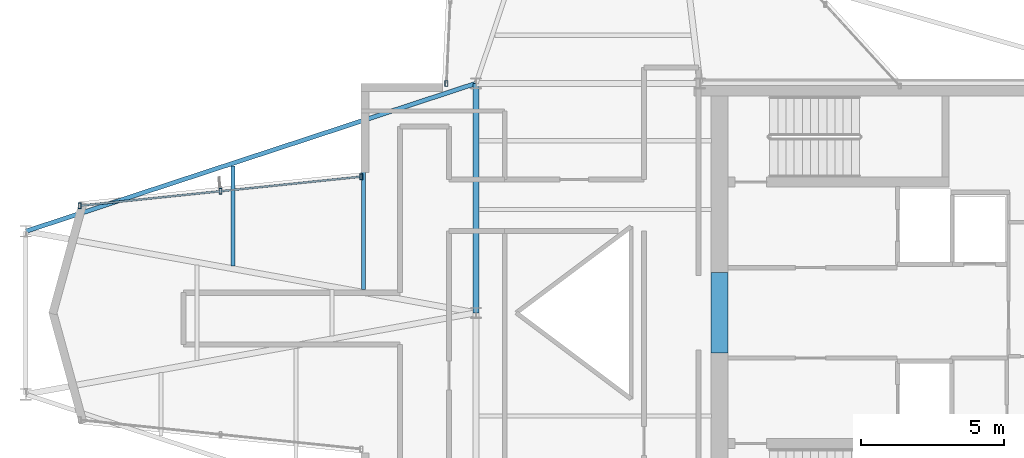
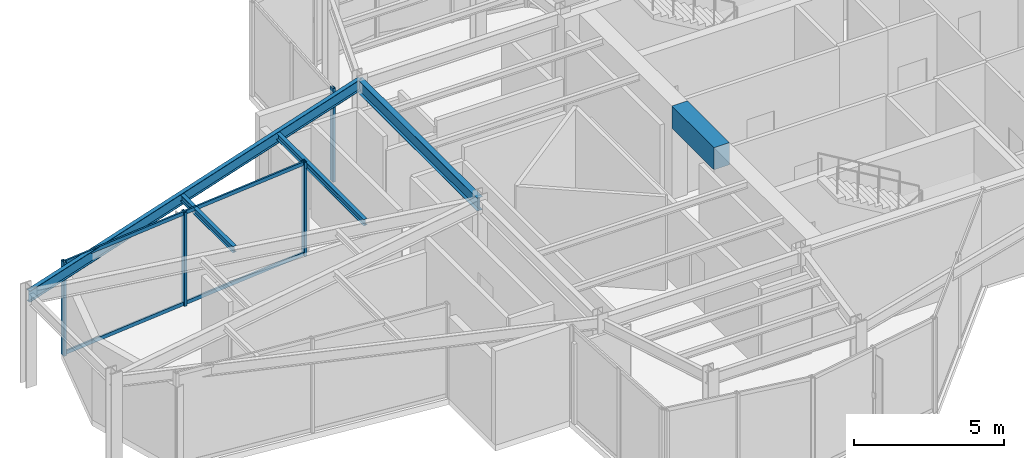
# One storey, part 4 of 14: 6 members, 5 beams, 2 elements without a shape of their own.
"""IFC4 building model written with IfcOpenShell, lengths in metres."""

import ifcopenshell
import ifcopenshell.guid

model = None  # the IFC model being written
_history = None  # IfcOwnerHistory: only IFC2X3 demands one
_inside = {}  # id of a spatial element -> (the spatial element, [elements in it])
_under = {}  # id of a project, library or spatial element -> (it, [spatial elements below it])
_declared = {}  # id of a project -> (the project, [libraries it declares])
_typed = {}  # id of a type object -> (the type object, [elements of that type])
_made_of = {}  # id of a material, layer set ... -> (it, [elements and type objects made of it])


def new_model(schema):
    """Start an empty IFC model of exactly this schema.

    Asked for "IFC4X3", IfcOpenShell would pick the latest addendum, in which some entities
    have other attributes; the version numbers below select the first issue.
    IFC2X3 requires an IfcOwnerHistory on every rooted entity: one is made here for all.
    """
    global model, _history
    if schema == "IFC4X3":
        model = ifcopenshell.file(schema_version=(4, 3, 0, 0))
    else:
        model = ifcopenshell.file(schema=schema)
    _inside.clear()
    _under.clear()
    _declared.clear()
    _typed.clear()
    _made_of.clear()
    _history = None
    if model.schema == "IFC2X3":
        org = make("IfcOrganization", Name="unknown")
        user = make(
            "IfcPersonAndOrganization",
            ThePerson=make("IfcPerson", FamilyName="unknown"),
            TheOrganization=org,
        )
        app = make(
            "IfcApplication",
            ApplicationDeveloper=org,
            Version="unknown",
            ApplicationFullName="unknown",
            ApplicationIdentifier="unknown",
        )
        _history = make(
            "IfcOwnerHistory",
            OwningUser=user,
            OwningApplication=app,
            ChangeAction="ADDED",
            CreationDate=0,
        )
    return model


def make(cls, **values):
    """One entity of the class cls with the attributes given. An attribute that is None is left unset."""
    return model.create_entity(
        cls, **{name: value for name, value in values.items() if value is not None}
    )


def rooted(cls, **values):
    """An entity with a GlobalId (a new one), such as an element, a storey or a relation."""
    return make(cls, GlobalId=ifcopenshell.guid.new(), OwnerHistory=_history, **values)


def si_unit(unit_type, name, prefix=None):
    """IfcSIUnit, for example si_unit("LENGTHUNIT", "METRE", prefix="MILLI")."""
    return make("IfcSIUnit", UnitType=unit_type, Prefix=prefix, Name=name)


def assignment(units):
    """IfcUnitAssignment: the units of a project."""
    return None if units is None else make("IfcUnitAssignment", Units=units)


def point(xyz):
    """IfcCartesianPoint."""
    return None if xyz is None else make("IfcCartesianPoint", Coordinates=xyz)


def direction(xyz):
    """IfcDirection."""
    return None if xyz is None else make("IfcDirection", DirectionRatios=xyz)


def frame(location, z_axis=None, x_axis=None):
    """IfcAxis2Placement3D, a coordinate frame: its origin and axes. An axis left out is left unset."""
    return make(
        "IfcAxis2Placement3D",
        Location=point(location),
        Axis=direction(z_axis),
        RefDirection=direction(x_axis),
    )


def frame_2d(location, x_axis=None):
    """IfcAxis2Placement2D, a coordinate frame in the plane: its origin and x axis."""
    return make(
        "IfcAxis2Placement2D", Location=point(location), RefDirection=direction(x_axis)
    )


def origin():
    """The frame at (0, 0, 0) with its axes left unset."""
    return frame((0.0, 0.0, 0.0))


def origin_2d():
    """The frame at (0, 0) in the plane with its x axis left unset."""
    return frame_2d((0.0, 0.0))


def place(relative_to, where):
    """IfcLocalPlacement: puts the frame where relative to a parent placement (None: the world)."""
    return make(
        "IfcLocalPlacement", PlacementRelTo=relative_to, RelativePlacement=where
    )


def context(
    kind, dimensions, precision=None, world=None, true_north=None, identifier=None
):
    """IfcGeometricRepresentationContext, for example the 3D "Model" context."""
    return make(
        "IfcGeometricRepresentationContext",
        ContextIdentifier=identifier,
        ContextType=kind,
        CoordinateSpaceDimension=dimensions,
        Precision=precision,
        WorldCoordinateSystem=world,
        TrueNorth=true_north,
    )


def subcontext(parent, identifier, kind, view, scale=None):
    """IfcGeometricRepresentationSubContext, for example "Body" below "Model"."""
    return make(
        "IfcGeometricRepresentationSubContext",
        ContextIdentifier=identifier,
        ContextType=kind,
        ParentContext=parent,
        TargetScale=scale,
        TargetView=view,
    )


def project(units=None, contexts=None):
    """IfcProject with its units and contexts."""
    return rooted(
        "IfcProject",
        Name="project",
        RepresentationContexts=contexts,
        UnitsInContext=assignment(units),
    )


def spatial(cls, under=None, at=None, **own):
    """A site, building, storey or space (cls), placed at a placement, below another one or the project."""
    s = rooted(cls, ObjectPlacement=at, **own)
    if under is not None:
        _under.setdefault(under.id(), (under, []))[1].append(s)
    return s


def profile(cls, at=None, kind="AREA", **sizes):
    """A parametric profile (cls). Its sizes go by their IFC names, for example OverallWidth=200.0."""
    return make(cls, ProfileType=kind, Position=at, **sizes)


def rectangle(**sizes):
    """IfcRectangleProfileDef."""
    return profile("IfcRectangleProfileDef", **sizes)


def hollow_rectangle(**sizes):
    """IfcRectangleHollowProfileDef."""
    return profile("IfcRectangleHollowProfileDef", **sizes)


def i_section(**sizes):
    """IfcIShapeProfileDef."""
    return profile("IfcIShapeProfileDef", **sizes)


def extrude(swept, where, along, depth):
    """IfcExtrudedAreaSolid: the profile swept, set in the frame where, extruded along a direction by depth."""
    return make(
        "IfcExtrudedAreaSolid",
        SweptArea=swept,
        Position=where,
        ExtrudedDirection=direction(along),
        Depth=depth,
    )


def shape(context_of_items, identifier, shape_type, items):
    """IfcShapeRepresentation: the items that make up one representation, for example the "Body"."""
    return make(
        "IfcShapeRepresentation",
        ContextOfItems=context_of_items,
        RepresentationIdentifier=identifier,
        RepresentationType=shape_type,
        Items=items,
    )


def material(Name=None, Category=None):
    """IfcMaterial."""
    return make("IfcMaterial", Name=Name, Category=Category)


def layer(
    of_material, thickness, ventilated=None, Name=None, Category=None, Priority=None
):
    """IfcMaterialLayer: one layer of a wall or slab, of a material (None: an air gap)."""
    return make(
        "IfcMaterialLayer",
        Material=of_material,
        LayerThickness=thickness,
        IsVentilated=ventilated,
        Name=Name,
        Category=Category,
        Priority=Priority,
    )


def layer_set(layers, Name=None):
    """IfcMaterialLayerSet."""
    return make("IfcMaterialLayerSet", MaterialLayers=layers, LayerSetName=Name)


def material_profile(
    of_material, cross_section, Name=None, Category=None, Priority=None
):
    """IfcMaterialProfile: a cross section and its material."""
    return make(
        "IfcMaterialProfile",
        Name=Name,
        Material=of_material,
        Profile=cross_section,
        Priority=Priority,
        Category=Category,
    )


def profile_set(profiles, Name=None, composite=None):
    """IfcMaterialProfileSet."""
    return make(
        "IfcMaterialProfileSet",
        Name=Name,
        MaterialProfiles=profiles,
        CompositeProfile=composite,
    )


def made_of(thing, what):
    """Note that an element or type object is made of a material, layer set ...; save() writes the relation."""
    if what is not None:
        _made_of.setdefault(what.id(), (what, []))[1].append(thing)
    return thing


def type_object(cls, material=None, **own):
    """A type object (cls), such as IfcWallType, which elements share."""
    return made_of(rooted(cls, **own), material)


def element(
    cls,
    number,
    at=None,
    inside=None,
    cuts=None,
    type_object=None,
    material=None,
    context=None,
    identifier="Body",
    shape_type=None,
    held_by="IfcProductDefinitionShape",
    body=None,
    shapes=None,
    **own,
):
    """One element of the class cls, such as IfcWall. Its Tag is "e" and its number.

    at: its placement. inside: the storey or other place that contains it. cuts: it is an
    opening in that element (IfcRelVoidsElement). A single representation is given by context,
    identifier, shape_type and body (its items); several are given by shapes. held_by: the class
    of the entity that holds the representations. save() writes the other relations.
    """
    e = rooted(cls, Tag="e%d" % number, ObjectPlacement=at, **own)
    if body is not None:
        shapes = [shape(context, identifier, shape_type, body)]
    if shapes is not None:
        e.Representation = make(held_by, Representations=shapes)
    if inside is not None:
        _inside.setdefault(inside.id(), (inside, []))[1].append(e)
    if cuts is not None:
        rooted(
            "IfcRelVoidsElement", RelatingBuildingElement=cuts, RelatedOpeningElement=e
        )
    if type_object is not None:
        _typed.setdefault(type_object.id(), (type_object, []))[1].append(e)
    return made_of(e, material)


def aggregate(whole, parts):
    """IfcRelAggregates: a whole, such as a stair, and the parts it consists of."""
    return rooted("IfcRelAggregates", RelatingObject=whole, RelatedObjects=parts)


def save(model, path):
    """Write the relations noted so far, then the file.

    IfcRelAggregates (storeys below a building ...), IfcRelContainedInSpatialStructure (elements
    in a storey), IfcRelDefinesByType, IfcRelAssociatesMaterial and IfcRelDeclares: one each for
    every whole, place, type object, material and project.
    """
    for whole, parts in _under.values():
        aggregate(whole, parts)
    for where, things in _inside.values():
        rooted(
            "IfcRelContainedInSpatialStructure",
            RelatedElements=things,
            RelatingStructure=where,
        )
    for kind, things in _typed.values():
        rooted("IfcRelDefinesByType", RelatedObjects=things, RelatingType=kind)
    for what, things in _made_of.values():
        rooted("IfcRelAssociatesMaterial", RelatedObjects=things, RelatingMaterial=what)
    for by, libraries in _declared.values():
        rooted("IfcRelDeclares", RelatingContext=by, RelatedDefinitions=libraries)
    model.write(path)


model = new_model("IFC4")

# Units and contexts
model_context = context("Model", 3, precision=1e-05, world=origin(), true_north=direction((0.0, 1.0)))
body_context = subcontext(model_context, "Body", "Model", "MODEL_VIEW")
ifc_project = project(units=[si_unit("LENGTHUNIT", "METRE"), si_unit("AREAUNIT", "SQUARE_METRE"), si_unit("VOLUMEUNIT", "CUBIC_METRE"), si_unit("PLANEANGLEUNIT", "RADIAN"), si_unit("MASSUNIT", "GRAM", prefix="KILO")], contexts=[model_context])

# Site, building, storey
site_placement = place(None, origin())
site = spatial("IfcSite", under=ifc_project, at=site_placement, CompositionType="ELEMENT")
building_placement = place(site_placement, origin())
building = spatial("IfcBuilding", under=site, at=building_placement, Name="Veymaron Broadcast Tower", CompositionType="ELEMENT")
storey_placement = place(building_placement, frame((0.0, 0.0, 283.050048828125)))
storey = spatial("IfcBuildingStorey", under=building, at=storey_placement, Name="L66", CompositionType="ELEMENT", Elevation=283.050048828125)

# Beams
ifc_material_1 = material(Name="Concrete C60/75", Category="concrete")
ifc_material_profile_1 = material_profile(ifc_material_1, rectangle(XDim=0.60009765625, YDim=0.89990234375, at=origin_2d()), Name="RC600X900")
ifc_profile_set_1 = profile_set([ifc_material_profile_1], Name="Concrete C60/75")
beam_type_1 = type_object("IfcBeamType", Name="BM-CB2", PredefinedType="LINTEL", material=ifc_profile_set_1)
beam_1_placement = place(storey_placement, frame((39.679931640625, 22.60009765625, 3.35986328125), z_axis=(0.0, 1.0, 0.0), x_axis=(-1.0, 0.0, 0.0)))
element("IfcBeam", 1, at=beam_1_placement, inside=storey, type_object=beam_type_1, Name="L66 Core Wall west coupling beam", PredefinedType="LINTEL", context=body_context, shape_type="SweptSolid", body=[
    extrude(rectangle(XDim=0.60009765625, YDim=0.89990234375, at=origin_2d()), origin(), (0.0, 0.0, 1.0), 2.7998046875),
])
ifc_material_2 = material(Name="Structural steel ASTM A992 Gr 50", Category="steel")
ifc_material_profile_2 = material_profile(ifc_material_2, i_section(OverallWidth=0.208984375, OverallDepth=0.528076171875, WebThickness=0.009521484375, FlangeThickness=0.01318359375, at=origin_2d()), Name="W530X82")
ifc_profile_set_2 = profile_set([ifc_material_profile_2], Name="Structural steel ASTM A992 Gr 50")
beam_type_2 = type_object("IfcBeamType", Name="BM-FG4", PredefinedType="BEAM", material=ifc_profile_set_2)
beam_2_placement = place(storey_placement, frame((31.199951171875, 24.0, 3.5458984375), z_axis=(0.0, 1.0, 0.0), x_axis=(-1.0, 0.0, 0.0)))
element("IfcBeam", 2, at=beam_2_placement, inside=storey, type_object=beam_type_2, Name="L66 primary structural floor girder", PredefinedType="BEAM", context=body_context, shape_type="SweptSolid", body=[
    extrude(i_section(OverallWidth=0.208984375, OverallDepth=0.528076171875, WebThickness=0.009521484375, FlangeThickness=0.01318359375, at=origin_2d()), origin(), (0.0, 0.0, 1.0), 8.0),
])
ifc_material_profile_3 = material_profile(ifc_material_2, i_section(OverallWidth=0.14599609375, OverallDepth=0.258056640625, WebThickness=0.006103515625, FlangeThickness=0.009033203125, at=origin_2d()), Name="W250X33")
ifc_profile_set_3 = profile_set([ifc_material_profile_3], Name="Structural steel ASTM A992 Gr 50")
beam_type_3 = type_object("IfcBeamType", Name="BM-JS4", PredefinedType="JOIST", material=ifc_profile_set_3)
beam_3_placement = place(storey_placement, frame((22.72216796875, 25.634765625, 3.680908203125), z_axis=(0.0, 1.0, 0.0), x_axis=(-1.0, 0.0, 0.0)))
element("IfcBeam", 3, at=beam_3_placement, inside=storey, type_object=beam_type_3, Name="L66 Arm-A secondary joist 1N", PredefinedType="JOIST", context=body_context, shape_type="SweptSolid", body=[
    extrude(i_section(OverallWidth=0.14599609375, OverallDepth=0.258056640625, WebThickness=0.006103515625, FlangeThickness=0.009033203125, at=origin_2d()), origin(), (0.0, 0.0, 1.0), 3.47998046875),
])
beam_4_placement = place(storey_placement, frame((27.275146484375, 24.810546875, 3.680908203125), z_axis=(0.0, 1.0, 0.0), x_axis=(-1.0, 0.0, 0.0)))
element("IfcBeam", 4, at=beam_4_placement, inside=storey, type_object=beam_type_3, Name="L66 Arm-A secondary joist 2N", PredefinedType="JOIST", context=body_context, shape_type="SweptSolid", body=[
    extrude(i_section(OverallWidth=0.14599609375, OverallDepth=0.258056640625, WebThickness=0.006103515625, FlangeThickness=0.009033203125, at=origin_2d()), origin(), (0.0, 0.0, 1.0), 5.800048828125),
])
ifc_material_profile_4 = material_profile(ifc_material_2, i_section(OverallWidth=0.154052734375, OverallDepth=0.458984375, WebThickness=0.009033203125, FlangeThickness=0.015380859375, at=origin_2d()), Name="W460X68")
ifc_profile_set_4 = profile_set([ifc_material_profile_4], Name="Structural steel ASTM A992 Gr 50")
beam_type_4 = type_object("IfcBeamType", Name="BM-SP2", PredefinedType="SPANDREL", material=ifc_profile_set_4)
beam_5_placement = place(storey_placement, frame((15.50048828125, 26.842041015625, 3.58056640625), z_axis=(0.950039572492, 0.31212947746, 0.0), x_axis=(-0.31212947746, 0.950039572492, 0.0)))
element("IfcBeam", 5, at=beam_5_placement, inside=storey, type_object=beam_type_4, Name="L66 primary structural floor girder", PredefinedType="SPANDREL", context=body_context, shape_type="SweptSolid", body=[
    extrude(i_section(OverallWidth=0.154052734375, OverallDepth=0.458984375, WebThickness=0.009033203125, FlangeThickness=0.015380859375, at=origin_2d()), origin(), (0.0, 0.0, 1.0), 16.525146484375),
])

# Curtain wall, member
ifc_material_3 = material(Name="Anodised aluminium AA 6063-T6 and laminated low-E dark glass", Category="aluminium")
ifc_layer = layer(ifc_material_3, 0.179931640625)
ifc_layer_set = layer_set([ifc_layer], Name="Anodised aluminium AA 6063-T6 and laminated low-E dark glass")
curtain_wall_type = type_object("IfcCurtainWallType", Name="CW-SYS-06", PredefinedType="NOTDEFINED", material=ifc_layer_set)
curtain_wall_1_placement = place(storey_placement, origin())
curtain_wall_1 = element("IfcCurtainWall", 6, at=curtain_wall_1_placement, inside=storey, type_object=curtain_wall_type, Name="L66 dark-glass curtain wall CW-L66-E8-1", PredefinedType="NOTDEFINED")
ifc_material_4 = material(Name="Anodised aluminium AA 6063-T6", Category="aluminium")
ifc_material_profile_5 = material_profile(ifc_material_4, hollow_rectangle(XDim=0.10009765625, YDim=0.199951171875, WallThickness=0.010009765625, at=origin_2d()), Name="RHS200X100X10")
ifc_profile_set_5 = profile_set([ifc_material_profile_5], Name="Anodised aluminium AA 6063-T6")
member_type_1 = type_object("IfcMemberType", Name="CW-MUL-01", PredefinedType="MULLION", material=ifc_profile_set_5)
member_1_placement = place(storey_placement, frame((30.161865234375, 31.99365234375, 0.0), z_axis=(0.0, 0.0, 1.0), x_axis=(1.0, 0.0, 0.0)))
member_1 = element("IfcMember", 7, at=member_1_placement, type_object=member_type_1, Name="CW-L66-E8-1 mullion 2", PredefinedType="MULLION", context=body_context, shape_type="SweptSolid", body=[
    extrude(hollow_rectangle(XDim=0.10009765625, YDim=0.199951171875, WallThickness=0.010009765625, at=origin_2d()), origin(), (0.0, 0.0, 1.0), 3.81005859375),
])
aggregate(curtain_wall_1, [member_1])

# Curtain wall, members
curtain_wall_2_placement = place(storey_placement, origin())
curtain_wall_2 = element("IfcCurtainWall", 8, at=curtain_wall_2_placement, inside=storey, type_object=curtain_wall_type, Name="L66 dark-glass curtain wall CW-L66-E11-1", PredefinedType="NOTDEFINED")
member_2_placement = place(storey_placement, frame((27.199951171875, 28.74658203125, 0.0), z_axis=(0.0, 0.0, 1.0), x_axis=(1.0, 0.0, 0.0)))
member_2 = element("IfcMember", 9, at=member_2_placement, type_object=member_type_1, Name="CW-L66-E11-1 mullion 0", PredefinedType="MULLION", context=body_context, shape_type="SweptSolid", body=[
    extrude(hollow_rectangle(XDim=0.10009765625, YDim=0.199951171875, WallThickness=0.010009765625, at=origin_2d()), origin(), (0.0, 0.0, 1.0), 3.81005859375),
])
member_3_placement = place(storey_placement, frame((22.287109375, 28.239013671875, 0.0), z_axis=(0.0, 0.0, 1.0), x_axis=(1.0, 0.0, 0.0)))
member_3 = element("IfcMember", 10, at=member_3_placement, type_object=member_type_1, Name="CW-L66-E11-1 mullion 1", PredefinedType="MULLION", context=body_context, shape_type="SweptSolid", body=[
    extrude(hollow_rectangle(XDim=0.10009765625, YDim=0.199951171875, WallThickness=0.010009765625, at=origin_2d()), origin(), (0.0, 0.0, 1.0), 3.81005859375),
])
member_4_placement = place(storey_placement, frame((17.37451171875, 27.731201171875, 0.0), z_axis=(0.0, 0.0, 1.0), x_axis=(1.0, 0.0, 0.0)))
member_4 = element("IfcMember", 11, at=member_4_placement, type_object=member_type_1, Name="CW-L66-E11-1 mullion 2", PredefinedType="MULLION", context=body_context, shape_type="SweptSolid", body=[
    extrude(hollow_rectangle(XDim=0.10009765625, YDim=0.199951171875, WallThickness=0.010009765625, at=origin_2d()), origin(), (0.0, 0.0, 1.0), 3.81005859375),
])
ifc_material_profile_6 = material_profile(ifc_material_4, hollow_rectangle(XDim=0.06494140625, YDim=0.14990234375, WallThickness=0.00390625, at=origin_2d()), Name="AL150X65X4")
ifc_profile_set_6 = profile_set([ifc_material_profile_6], Name="Anodised aluminium AA 6063-T6")
member_type_2 = type_object("IfcMemberType", Name="CW-TRN-01", PredefinedType="USERDEFINED", material=ifc_profile_set_6)
member_5_placement = place(storey_placement, frame((27.150390625, 28.74169921875, 0.070068359375), z_axis=(-0.994700162158, -0.10281822505, 0.0), x_axis=(0.10281822505, -0.994700162158, 0.0)))
member_5 = element("IfcMember", 12, at=member_5_placement, type_object=member_type_2, Name="CW-L66-E11-1 transom B", ObjectType="TRANSOM", PredefinedType="USERDEFINED", context=body_context, shape_type="SweptSolid", body=[
    extrude(hollow_rectangle(XDim=0.06494140625, YDim=0.14990234375, WallThickness=0.00390625, at=origin_2d()), origin(), (0.0, 0.0, 1.0), 9.778076171875),
])
member_6_placement = place(storey_placement, frame((27.150390625, 28.74169921875, 3.739990234375), z_axis=(-0.994700162158, -0.10281822505, 0.0), x_axis=(0.10281822505, -0.994700162158, 0.0)))
member_6 = element("IfcMember", 13, at=member_6_placement, type_object=member_type_2, Name="CW-L66-E11-1 transom T", ObjectType="TRANSOM", PredefinedType="USERDEFINED", context=body_context, shape_type="SweptSolid", body=[
    extrude(hollow_rectangle(XDim=0.06494140625, YDim=0.14990234375, WallThickness=0.00390625, at=origin_2d()), origin(), (0.0, 0.0, 1.0), 9.778076171875),
])
aggregate(curtain_wall_2, [member_2, member_3, member_4, member_5, member_6])

save(model, "model.ifc")
